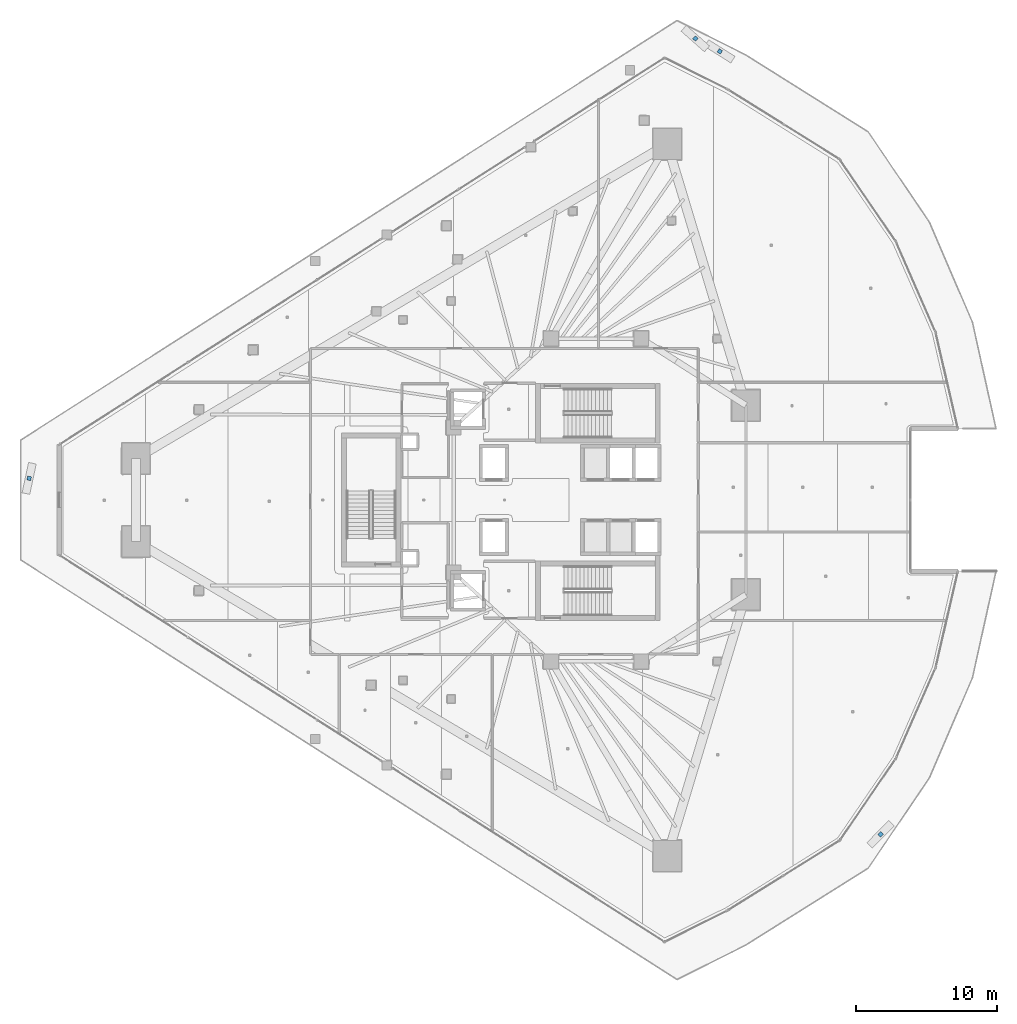
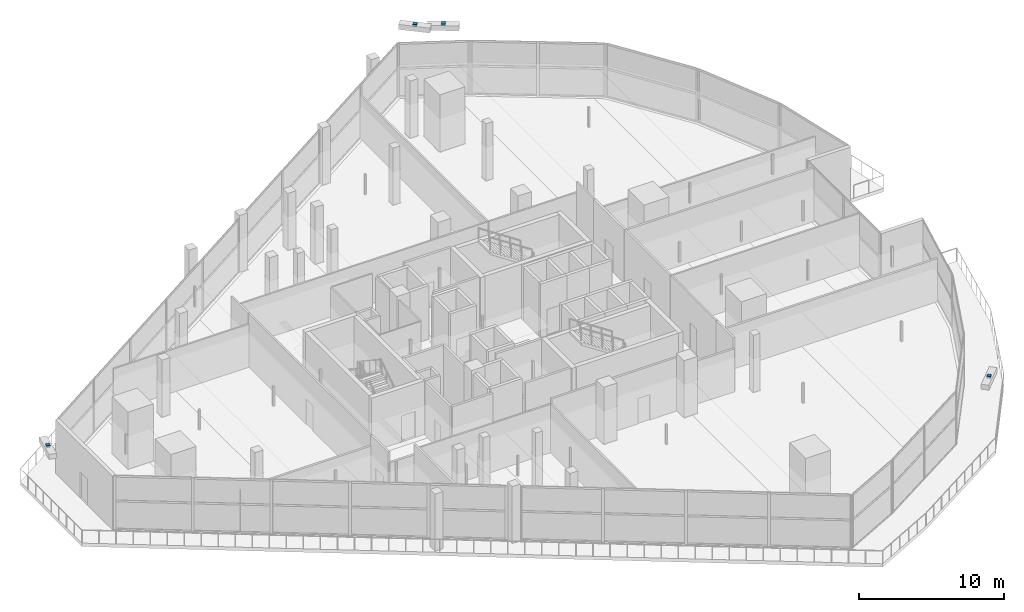
# One storey, part 32 of 42: 4 discrete accessories.
"""IFC4 building model written with IfcOpenShell, lengths in metres."""

import ifcopenshell
import ifcopenshell.guid

model = None  # the IFC model being written
_history = None  # IfcOwnerHistory: only IFC2X3 demands one
_inside = {}  # id of a spatial element -> (the spatial element, [elements in it])
_under = {}  # id of a project, library or spatial element -> (it, [spatial elements below it])
_declared = {}  # id of a project -> (the project, [libraries it declares])
_typed = {}  # id of a type object -> (the type object, [elements of that type])
_made_of = {}  # id of a material, layer set ... -> (it, [elements and type objects made of it])


def new_model(schema):
    """Start an empty IFC model of exactly this schema.

    Asked for "IFC4X3", IfcOpenShell would pick the latest addendum, in which some entities
    have other attributes; the version numbers below select the first issue.
    IFC2X3 requires an IfcOwnerHistory on every rooted entity: one is made here for all.
    """
    global model, _history
    if schema == "IFC4X3":
        model = ifcopenshell.file(schema_version=(4, 3, 0, 0))
    else:
        model = ifcopenshell.file(schema=schema)
    _inside.clear()
    _under.clear()
    _declared.clear()
    _typed.clear()
    _made_of.clear()
    _history = None
    if model.schema == "IFC2X3":
        org = make("IfcOrganization", Name="unknown")
        user = make(
            "IfcPersonAndOrganization",
            ThePerson=make("IfcPerson", FamilyName="unknown"),
            TheOrganization=org,
        )
        app = make(
            "IfcApplication",
            ApplicationDeveloper=org,
            Version="unknown",
            ApplicationFullName="unknown",
            ApplicationIdentifier="unknown",
        )
        _history = make(
            "IfcOwnerHistory",
            OwningUser=user,
            OwningApplication=app,
            ChangeAction="ADDED",
            CreationDate=0,
        )
    return model


def make(cls, **values):
    """One entity of the class cls with the attributes given. An attribute that is None is left unset."""
    return model.create_entity(
        cls, **{name: value for name, value in values.items() if value is not None}
    )


def rooted(cls, **values):
    """An entity with a GlobalId (a new one), such as an element, a storey or a relation."""
    return make(cls, GlobalId=ifcopenshell.guid.new(), OwnerHistory=_history, **values)


def si_unit(unit_type, name, prefix=None):
    """IfcSIUnit, for example si_unit("LENGTHUNIT", "METRE", prefix="MILLI")."""
    return make("IfcSIUnit", UnitType=unit_type, Prefix=prefix, Name=name)


def assignment(units):
    """IfcUnitAssignment: the units of a project."""
    return None if units is None else make("IfcUnitAssignment", Units=units)


def point(xyz):
    """IfcCartesianPoint."""
    return None if xyz is None else make("IfcCartesianPoint", Coordinates=xyz)


def direction(xyz):
    """IfcDirection."""
    return None if xyz is None else make("IfcDirection", DirectionRatios=xyz)


def frame(location, z_axis=None, x_axis=None):
    """IfcAxis2Placement3D, a coordinate frame: its origin and axes. An axis left out is left unset."""
    return make(
        "IfcAxis2Placement3D",
        Location=point(location),
        Axis=direction(z_axis),
        RefDirection=direction(x_axis),
    )


def frame_2d(location, x_axis=None):
    """IfcAxis2Placement2D, a coordinate frame in the plane: its origin and x axis."""
    return make(
        "IfcAxis2Placement2D", Location=point(location), RefDirection=direction(x_axis)
    )


def origin():
    """The frame at (0, 0, 0) with its axes left unset."""
    return frame((0.0, 0.0, 0.0))


def origin_2d():
    """The frame at (0, 0) in the plane with its x axis left unset."""
    return frame_2d((0.0, 0.0))


def place(relative_to, where):
    """IfcLocalPlacement: puts the frame where relative to a parent placement (None: the world)."""
    return make(
        "IfcLocalPlacement", PlacementRelTo=relative_to, RelativePlacement=where
    )


def context(
    kind, dimensions, precision=None, world=None, true_north=None, identifier=None
):
    """IfcGeometricRepresentationContext, for example the 3D "Model" context."""
    return make(
        "IfcGeometricRepresentationContext",
        ContextIdentifier=identifier,
        ContextType=kind,
        CoordinateSpaceDimension=dimensions,
        Precision=precision,
        WorldCoordinateSystem=world,
        TrueNorth=true_north,
    )


def subcontext(parent, identifier, kind, view, scale=None):
    """IfcGeometricRepresentationSubContext, for example "Body" below "Model"."""
    return make(
        "IfcGeometricRepresentationSubContext",
        ContextIdentifier=identifier,
        ContextType=kind,
        ParentContext=parent,
        TargetScale=scale,
        TargetView=view,
    )


def project(units=None, contexts=None):
    """IfcProject with its units and contexts."""
    return rooted(
        "IfcProject",
        Name="project",
        RepresentationContexts=contexts,
        UnitsInContext=assignment(units),
    )


def spatial(cls, under=None, at=None, **own):
    """A site, building, storey or space (cls), placed at a placement, below another one or the project."""
    s = rooted(cls, ObjectPlacement=at, **own)
    if under is not None:
        _under.setdefault(under.id(), (under, []))[1].append(s)
    return s


def profile(cls, at=None, kind="AREA", **sizes):
    """A parametric profile (cls). Its sizes go by their IFC names, for example OverallWidth=200.0."""
    return make(cls, ProfileType=kind, Position=at, **sizes)


def rectangle(**sizes):
    """IfcRectangleProfileDef."""
    return profile("IfcRectangleProfileDef", **sizes)


def extrude(swept, where, along, depth):
    """IfcExtrudedAreaSolid: the profile swept, set in the frame where, extruded along a direction by depth."""
    return make(
        "IfcExtrudedAreaSolid",
        SweptArea=swept,
        Position=where,
        ExtrudedDirection=direction(along),
        Depth=depth,
    )


def shape(context_of_items, identifier, shape_type, items):
    """IfcShapeRepresentation: the items that make up one representation, for example the "Body"."""
    return make(
        "IfcShapeRepresentation",
        ContextOfItems=context_of_items,
        RepresentationIdentifier=identifier,
        RepresentationType=shape_type,
        Items=items,
    )


def material(Name=None, Category=None):
    """IfcMaterial."""
    return make("IfcMaterial", Name=Name, Category=Category)


def made_of(thing, what):
    """Note that an element or type object is made of a material, layer set ...; save() writes the relation."""
    if what is not None:
        _made_of.setdefault(what.id(), (what, []))[1].append(thing)
    return thing


def type_object(cls, material=None, **own):
    """A type object (cls), such as IfcWallType, which elements share."""
    return made_of(rooted(cls, **own), material)


def element(
    cls,
    number,
    at=None,
    inside=None,
    cuts=None,
    type_object=None,
    material=None,
    context=None,
    identifier="Body",
    shape_type=None,
    held_by="IfcProductDefinitionShape",
    body=None,
    shapes=None,
    **own,
):
    """One element of the class cls, such as IfcWall. Its Tag is "e" and its number.

    at: its placement. inside: the storey or other place that contains it. cuts: it is an
    opening in that element (IfcRelVoidsElement). A single representation is given by context,
    identifier, shape_type and body (its items); several are given by shapes. held_by: the class
    of the entity that holds the representations. save() writes the other relations.
    """
    e = rooted(cls, Tag="e%d" % number, ObjectPlacement=at, **own)
    if body is not None:
        shapes = [shape(context, identifier, shape_type, body)]
    if shapes is not None:
        e.Representation = make(held_by, Representations=shapes)
    if inside is not None:
        _inside.setdefault(inside.id(), (inside, []))[1].append(e)
    if cuts is not None:
        rooted(
            "IfcRelVoidsElement", RelatingBuildingElement=cuts, RelatedOpeningElement=e
        )
    if type_object is not None:
        _typed.setdefault(type_object.id(), (type_object, []))[1].append(e)
    return made_of(e, material)


def aggregate(whole, parts):
    """IfcRelAggregates: a whole, such as a stair, and the parts it consists of."""
    return rooted("IfcRelAggregates", RelatingObject=whole, RelatedObjects=parts)


def save(model, path):
    """Write the relations noted so far, then the file.

    IfcRelAggregates (storeys below a building ...), IfcRelContainedInSpatialStructure (elements
    in a storey), IfcRelDefinesByType, IfcRelAssociatesMaterial and IfcRelDeclares: one each for
    every whole, place, type object, material and project.
    """
    for whole, parts in _under.values():
        aggregate(whole, parts)
    for where, things in _inside.values():
        rooted(
            "IfcRelContainedInSpatialStructure",
            RelatedElements=things,
            RelatingStructure=where,
        )
    for kind, things in _typed.values():
        rooted("IfcRelDefinesByType", RelatedObjects=things, RelatingType=kind)
    for what, things in _made_of.values():
        rooted("IfcRelAssociatesMaterial", RelatedObjects=things, RelatingMaterial=what)
    for by, libraries in _declared.values():
        rooted("IfcRelDeclares", RelatingContext=by, RelatedDefinitions=libraries)
    model.write(path)


model = new_model("IFC4")

# Units and contexts
model_context = context("Model", 3, precision=1e-05, world=origin(), true_north=direction((0.0, 1.0)))
body_context = subcontext(model_context, "Body", "Model", "MODEL_VIEW")
ifc_project = project(units=[si_unit("LENGTHUNIT", "METRE"), si_unit("AREAUNIT", "SQUARE_METRE"), si_unit("VOLUMEUNIT", "CUBIC_METRE"), si_unit("PLANEANGLEUNIT", "RADIAN"), si_unit("MASSUNIT", "GRAM", prefix="KILO")], contexts=[model_context])

# Site, building, storey
site_placement = place(None, origin())
site = spatial("IfcSite", under=ifc_project, at=site_placement, CompositionType="ELEMENT")
building_placement = place(site_placement, origin())
building = spatial("IfcBuilding", under=site, at=building_placement, Name="Qorvath Tower", CompositionType="ELEMENT")
storey_placement = place(building_placement, frame((0.0, 0.0, 105.0)))
storey = spatial("IfcBuildingStorey", under=building, at=storey_placement, Name="L23", CompositionType="ELEMENT", Elevation=105.0)

# Discrete accessories
ifc_material = material(Name="Galvanised steel bracket", Category="steel")
discrete_accessory_type = type_object("IfcDiscreteAccessoryType", Name="DA-BRACKET", PredefinedType="BRACKET", material=ifc_material)
for number, where, z_axis, x_axis, name in (
    (1, (-60.629150390625, 1.53173828125, 4.3798828125), (0.0, 0.0, 1.0), (-0.208978560421, -0.977920222352, 0.0), "Louvre Wave Support Bracket L23-01"),
    (2, (-0.210205078125, -23.724853515625, 4.3798828125), (0.0, 0.0, 1.0), (0.705024210341, 0.70918323643, 0.0), "Louvre Wave Support Bracket L23-02"),
    (3, (-11.623291015625, 31.8330078125, 4.3798828125), (0.0, 0.0, 1.0), (-0.846518523819, 0.53235926669, 0.0), "Louvre Wave Support Bracket L23-03"),
    (4, (-13.3564453125, 32.743408203125, 4.3798828125), (0.0, 0.0, 1.0), (-0.74890714619, 0.662674947757, 0.0), "Louvre Wave Support Bracket L23-04"),
):
    element("IfcDiscreteAccessory", number, at=place(storey_placement, frame(where, z_axis=z_axis, x_axis=x_axis)), inside=storey, type_object=discrete_accessory_type, Name=name, PredefinedType="NOTDEFINED", context=body_context, shape_type="SweptSolid", body=[
        extrude(rectangle(XDim=0.280029296875, YDim=0.280029296875, at=origin_2d()), origin(), (0.0, 0.0, 1.0), 0.199951171875),
    ])

save(model, "model.ifc")
